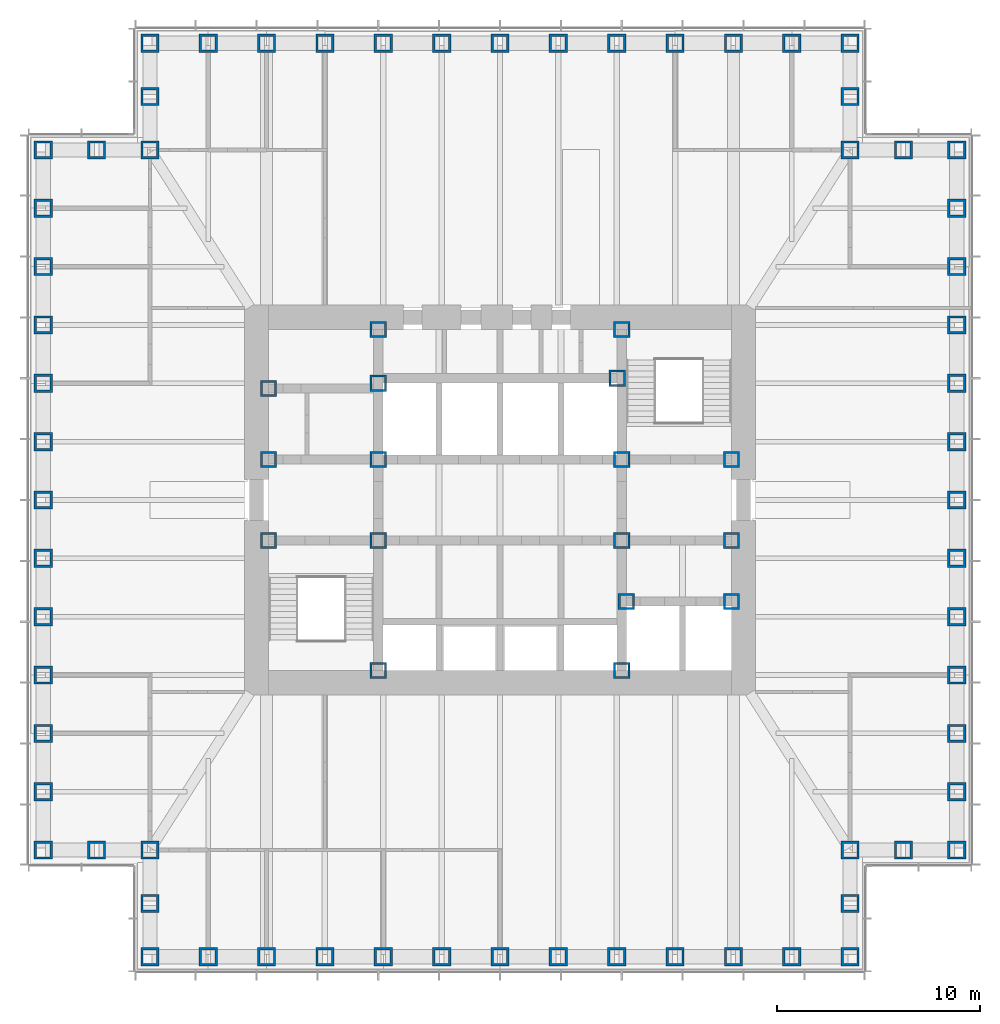
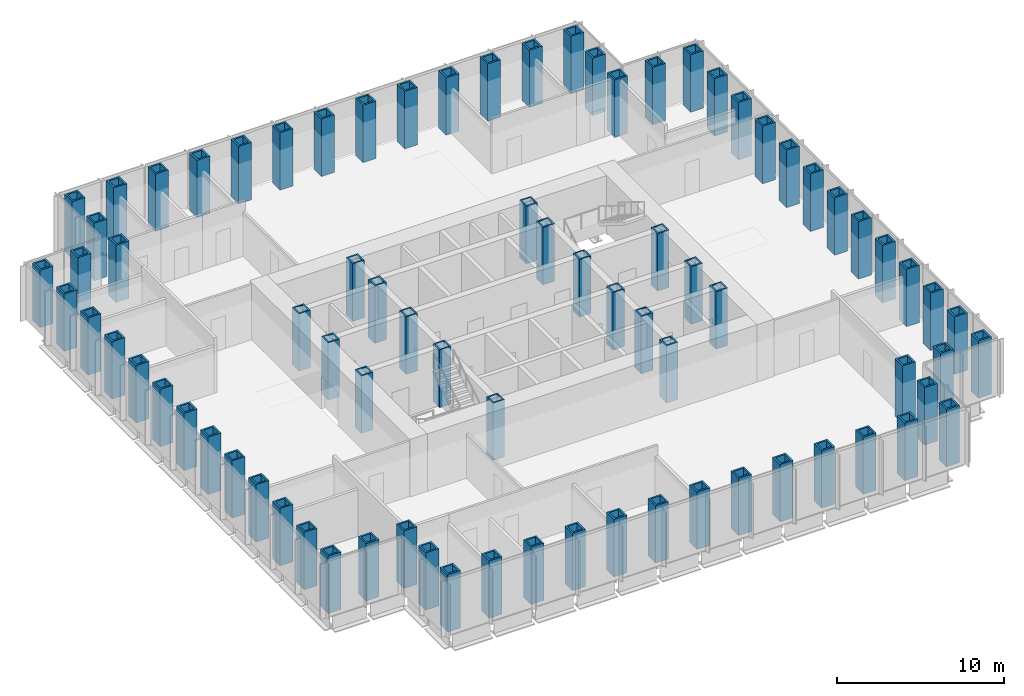
# One storey, part 1 of 17: 81 columns.
"""IFC4 building model written with IfcOpenShell, lengths in metres."""

from ifc_helpers import new_model, si_unit, direction, frame, origin, origin_2d, place, context, subcontext, project, spatial, hollow_rectangle, extrude, material, material_profile, profile_set, type_object, element, save


model = new_model("IFC4")

# Units and contexts
model_context = context("Model", 3, precision=1e-05, world=origin(), true_north=direction((0.0, 1.0)))
body_context = subcontext(model_context, "Body", "Model", "MODEL_VIEW")
ifc_project = project(units=[si_unit("LENGTHUNIT", "METRE"), si_unit("AREAUNIT", "SQUARE_METRE"), si_unit("VOLUMEUNIT", "CUBIC_METRE"), si_unit("PLANEANGLEUNIT", "RADIAN"), si_unit("MASSUNIT", "GRAM", prefix="KILO")], contexts=[model_context])

# Site, building, storey
site_placement = place(None, origin())
site = spatial("IfcSite", under=ifc_project, at=site_placement, CompositionType="ELEMENT")
building_placement = place(site_placement, origin())
building = spatial("IfcBuilding", under=site, at=building_placement, Name="Daluyong Arena Tower", CompositionType="ELEMENT")
storey_placement = place(building_placement, frame((0.0, 0.0, 158.5)))
storey = spatial("IfcBuildingStorey", under=building, at=storey_placement, Name="L35", CompositionType="ELEMENT", Elevation=158.5)

# Columns
ifc_material_1 = material(Name="Steel ASTM A572 Grade 50", Category="steel")
ifc_material_profile_1 = material_profile(ifc_material_1, hollow_rectangle(XDim=0.800048828125, YDim=0.800048828125, WallThickness=0.1, at=origin_2d()))
ifc_profile_set_1 = profile_set([ifc_material_profile_1], Name="Steel ASTM A572 Grade 50")
column_type_1 = type_object("IfcColumnType", Name="Core boundary column BX800X100", PredefinedType="COLUMN", material=ifc_profile_set_1)
for number, where, z_axis, x_axis, name in (
    (1, (44.60009765625, 78.0, 0.0), (0.0, 0.0, 1.0), (1.0, 0.0, 0.0), "core boundary column BC2"),
    (2, (44.60009765625, 82.0, 0.0), (0.0, 0.0, 1.0), (1.0, 0.0, 0.0), "core boundary column BC2"),
    (3, (44.60009765625, 85.5, 0.0), (0.0, 0.0, 1.0), (1.0, 0.0, 0.0), "core boundary column BC2"),
    (4, (50.0, 71.60009765625, 0.0), (0.0, 0.0, 1.0), (1.0, 0.0, 0.0), "core boundary column BC2"),
    (5, (50.0, 78.0, 0.0), (0.0, 0.0, 1.0), (1.0, 0.0, 0.0), "core boundary column BC2"),
    (6, (50.0, 82.0, 0.0), (0.0, 0.0, 1.0), (1.0, 0.0, 0.0), "core boundary column BC2"),
    (7, (50.0, 85.75, 0.0), (0.0, 0.0, 1.0), (1.0, 0.0, 0.0), "core boundary column BC2"),
    (8, (50.0, 88.39990234375, 0.0), (0.0, 0.0, 1.0), (1.0, 0.0, 0.0), "core boundary column BC2"),
    (9, (61.77490234375, 86.0, 0.0), (0.0, 0.0, 1.0), (1.0, 0.0, 0.0), "core boundary column BC2"),
    (10, (62.0, 71.60009765625, 0.0), (0.0, 0.0, 1.0), (1.0, 0.0, 0.0), "core boundary column BC2"),
    (11, (62.0, 78.0, 0.0), (0.0, 0.0, 1.0), (1.0, 0.0, 0.0), "core boundary column BC2"),
    (12, (62.0, 82.0, 0.0), (0.0, 0.0, 1.0), (1.0, 0.0, 0.0), "core boundary column BC2"),
    (13, (62.0, 88.39990234375, 0.0), (0.0, 0.0, 1.0), (1.0, 0.0, 0.0), "core boundary column BC2"),
    (14, (62.22509765625, 75.0, 0.0), (0.0, 0.0, 1.0), (1.0, 0.0, 0.0), "core boundary column BC2"),
    (15, (67.39990234375, 75.0, 0.0), (0.0, 0.0, 1.0), (1.0, 0.0, 0.0), "core boundary column BC2"),
    (16, (67.39990234375, 78.0, 0.0), (0.0, 0.0, 1.0), (1.0, 0.0, 0.0), "core boundary column BC2"),
    (17, (67.39990234375, 82.0, 0.0), (0.0, 0.0, 1.0), (1.0, 0.0, 0.0), "core boundary column BC2"),
):
    element("IfcColumn", number, at=place(storey_placement, frame(where, z_axis=z_axis, x_axis=x_axis)), inside=storey, type_object=column_type_1, Name=name, PredefinedType="COLUMN", context=body_context, shape_type="SweptSolid", body=[
        extrude(hollow_rectangle(XDim=0.800048828125, YDim=0.800048828125, WallThickness=0.1, at=origin_2d()), origin(), (0.0, 0.0, 1.0), 4.199951171875),
    ])
ifc_material_2 = material(Name="Steel ASTM A588 Grade 50", Category="steel")
ifc_material_profile_2 = material_profile(ifc_material_2, hollow_rectangle(XDim=0.89990234375, YDim=0.89990234375, WallThickness=0.12, at=origin_2d()))
ifc_profile_set_2 = profile_set([ifc_material_profile_2], Name="Steel ASTM A588 Grade 50")
column_type_2 = type_object("IfcColumnType", Name="Tube column BX900X120 BX900X120", PredefinedType="COLUMN", material=ifc_profile_set_2)
for number, where, z_axis, x_axis, name in (
    (18, (38.75, 57.5, 0.0), (0.0, 0.0, 1.0), (1.0, 0.0, 0.0), "tube column bx900x120 TC4"),
    (19, (41.625, 57.5, 0.0), (0.0, 0.0, 1.0), (1.0, 0.0, 0.0), "tube column bx900x120 TC4"),
    (20, (44.5, 57.5, 0.0), (0.0, 0.0, 1.0), (1.0, 0.0, 0.0), "tube column bx900x120 TC4"),
    (21, (47.375, 57.5, 0.0), (0.0, 0.0, 1.0), (1.0, 0.0, 0.0), "tube column bx900x120 TC4"),
    (22, (50.25, 57.5, 0.0), (0.0, 0.0, 1.0), (1.0, 0.0, 0.0), "tube column bx900x120 TC4"),
    (23, (53.125, 57.5, 0.0), (0.0, 0.0, 1.0), (1.0, 0.0, 0.0), "tube column bx900x120 TC4"),
    (24, (56.0, 57.5, 0.0), (0.0, 0.0, 1.0), (1.0, 0.0, 0.0), "tube column bx900x120 TC4"),
    (25, (58.875, 57.5, 0.0), (0.0, 0.0, 1.0), (1.0, 0.0, 0.0), "tube column bx900x120 TC4"),
    (26, (61.75, 57.5, 0.0), (0.0, 0.0, 1.0), (1.0, 0.0, 0.0), "tube column bx900x120 TC4"),
    (27, (64.625, 57.5, 0.0), (0.0, 0.0, 1.0), (1.0, 0.0, 0.0), "tube column bx900x120 TC4"),
    (28, (67.5, 57.5, 0.0), (0.0, 0.0, 1.0), (1.0, 0.0, 0.0), "tube column bx900x120 TC4"),
    (29, (70.375, 57.5, 0.0), (0.0, 0.0, 1.0), (1.0, 0.0, 0.0), "tube column bx900x120 TC4"),
    (30, (73.25, 57.5, 0.0), (0.0, 0.0, 1.0), (0.0, 1.0, 0.0), "tube column bx900x120 TC4"),
    (31, (73.25, 60.125, 0.0), (0.0, 0.0, 1.0), (0.0, 1.0, 0.0), "tube column bx900x120 TC4"),
    (32, (73.25, 62.75, 0.0), (0.0, 0.0, 1.0), (1.0, 0.0, 0.0), "tube column bx900x120 TC4"),
    (33, (75.875, 62.75, 0.0), (0.0, 0.0, 1.0), (1.0, 0.0, 0.0), "tube column bx900x120 TC4"),
    (34, (78.5, 62.75, 0.0), (0.0, 0.0, 1.0), (0.0, 1.0, 0.0), "tube column bx900x120 TC4"),
    (35, (78.5, 65.625, 0.0), (0.0, 0.0, 1.0), (0.0, 1.0, 0.0), "tube column bx900x120 TC4"),
    (36, (78.5, 68.5, 0.0), (0.0, 0.0, 1.0), (0.0, 1.0, 0.0), "tube column bx900x120 TC4"),
    (37, (78.5, 71.375, 0.0), (0.0, 0.0, 1.0), (0.0, 1.0, 0.0), "tube column bx900x120 TC4"),
    (38, (78.5, 74.25, 0.0), (0.0, 0.0, 1.0), (0.0, 1.0, 0.0), "tube column bx900x120 TC4"),
    (39, (78.5, 77.125, 0.0), (0.0, 0.0, 1.0), (0.0, 1.0, 0.0), "tube column bx900x120 TC4"),
    (40, (78.5, 80.0, 0.0), (0.0, 0.0, 1.0), (0.0, 1.0, 0.0), "tube column bx900x120 TC4"),
    (41, (78.5, 82.875, 0.0), (0.0, 0.0, 1.0), (0.0, 1.0, 0.0), "tube column bx900x120 TC4"),
    (42, (78.5, 85.75, 0.0), (0.0, 0.0, 1.0), (0.0, 1.0, 0.0), "tube column bx900x120 TC4"),
    (43, (78.5, 88.625, 0.0), (0.0, 0.0, 1.0), (0.0, 1.0, 0.0), "tube column bx900x120 TC4"),
    (44, (78.5, 91.5, 0.0), (0.0, 0.0, 1.0), (0.0, 1.0, 0.0), "tube column bx900x120 TC4"),
    (45, (78.5, 94.375, 0.0), (0.0, 0.0, 1.0), (0.0, 1.0, 0.0), "tube column bx900x120 TC4"),
    (46, (78.5, 97.25, 0.0), (0.0, 0.0, 1.0), (1.0, 0.0, 0.0), "tube column bx900x120 TC4"),
    (47, (75.875, 97.25, 0.0), (0.0, 0.0, 1.0), (1.0, 0.0, 0.0), "tube column bx900x120 TC4"),
    (48, (73.25, 97.25, 0.0), (0.0, 0.0, 1.0), (0.0, 1.0, 0.0), "tube column bx900x120 TC4"),
    (49, (73.25, 99.875, 0.0), (0.0, 0.0, 1.0), (0.0, 1.0, 0.0), "tube column bx900x120 TC4"),
    (50, (73.25, 102.5, 0.0), (0.0, 0.0, 1.0), (1.0, 0.0, 0.0), "tube column bx900x120 TC4"),
    (51, (70.375, 102.5, 0.0), (0.0, 0.0, 1.0), (1.0, 0.0, 0.0), "tube column bx900x120 TC4"),
    (52, (67.5, 102.5, 0.0), (0.0, 0.0, 1.0), (1.0, 0.0, 0.0), "tube column bx900x120 TC4"),
    (53, (64.625, 102.5, 0.0), (0.0, 0.0, 1.0), (1.0, 0.0, 0.0), "tube column bx900x120 TC4"),
    (54, (61.75, 102.5, 0.0), (0.0, 0.0, 1.0), (1.0, 0.0, 0.0), "tube column bx900x120 TC4"),
    (55, (58.875, 102.5, 0.0), (0.0, 0.0, 1.0), (1.0, 0.0, 0.0), "tube column bx900x120 TC4"),
    (56, (56.0, 102.5, 0.0), (0.0, 0.0, 1.0), (1.0, 0.0, 0.0), "tube column bx900x120 TC4"),
    (57, (53.125, 102.5, 0.0), (0.0, 0.0, 1.0), (1.0, 0.0, 0.0), "tube column bx900x120 TC4"),
    (58, (50.25, 102.5, 0.0), (0.0, 0.0, 1.0), (1.0, 0.0, 0.0), "tube column bx900x120 TC4"),
    (59, (47.375, 102.5, 0.0), (0.0, 0.0, 1.0), (1.0, 0.0, 0.0), "tube column bx900x120 TC4"),
    (60, (44.5, 102.5, 0.0), (0.0, 0.0, 1.0), (1.0, 0.0, 0.0), "tube column bx900x120 TC4"),
    (61, (41.625, 102.5, 0.0), (0.0, 0.0, 1.0), (1.0, 0.0, 0.0), "tube column bx900x120 TC4"),
    (62, (38.75, 102.5, 0.0), (0.0, 0.0, 1.0), (0.0, 1.0, 0.0), "tube column bx900x120 TC4"),
    (63, (38.75, 99.875, 0.0), (0.0, 0.0, 1.0), (0.0, 1.0, 0.0), "tube column bx900x120 TC4"),
    (64, (38.75, 97.25, 0.0), (0.0, 0.0, 1.0), (1.0, 0.0, 0.0), "tube column bx900x120 TC4"),
    (65, (36.125, 97.25, 0.0), (0.0, 0.0, 1.0), (1.0, 0.0, 0.0), "tube column bx900x120 TC4"),
    (66, (33.5, 97.25, 0.0), (0.0, 0.0, 1.0), (0.0, 1.0, 0.0), "tube column bx900x120 TC4"),
    (67, (33.5, 94.375, 0.0), (0.0, 0.0, 1.0), (0.0, 1.0, 0.0), "tube column bx900x120 TC4"),
    (68, (33.5, 91.5, 0.0), (0.0, 0.0, 1.0), (0.0, 1.0, 0.0), "tube column bx900x120 TC4"),
    (69, (33.5, 88.625, 0.0), (0.0, 0.0, 1.0), (0.0, 1.0, 0.0), "tube column bx900x120 TC4"),
    (70, (33.5, 85.75, 0.0), (0.0, 0.0, 1.0), (0.0, 1.0, 0.0), "tube column bx900x120 TC4"),
    (71, (33.5, 82.875, 0.0), (0.0, 0.0, 1.0), (0.0, 1.0, 0.0), "tube column bx900x120 TC4"),
    (72, (33.5, 80.0, 0.0), (0.0, 0.0, 1.0), (0.0, 1.0, 0.0), "tube column bx900x120 TC4"),
    (73, (33.5, 77.125, 0.0), (0.0, 0.0, 1.0), (0.0, 1.0, 0.0), "tube column bx900x120 TC4"),
    (74, (33.5, 74.25, 0.0), (0.0, 0.0, 1.0), (0.0, 1.0, 0.0), "tube column bx900x120 TC4"),
    (75, (33.5, 71.375, 0.0), (0.0, 0.0, 1.0), (0.0, 1.0, 0.0), "tube column bx900x120 TC4"),
    (76, (33.5, 68.5, 0.0), (0.0, 0.0, 1.0), (0.0, 1.0, 0.0), "tube column bx900x120 TC4"),
    (77, (33.5, 65.625, 0.0), (0.0, 0.0, 1.0), (0.0, 1.0, 0.0), "tube column bx900x120 TC4"),
    (78, (33.5, 62.75, 0.0), (0.0, 0.0, 1.0), (1.0, 0.0, 0.0), "tube column bx900x120 TC4"),
    (79, (36.125, 62.75, 0.0), (0.0, 0.0, 1.0), (1.0, 0.0, 0.0), "tube column bx900x120 TC4"),
    (80, (38.75, 62.75, 0.0), (0.0, 0.0, 1.0), (0.0, 1.0, 0.0), "tube column bx900x120 TC4"),
    (81, (38.75, 60.125, 0.0), (0.0, 0.0, 1.0), (0.0, 1.0, 0.0), "tube column bx900x120 TC4"),
):
    element("IfcColumn", number, at=place(storey_placement, frame(where, z_axis=z_axis, x_axis=x_axis)), inside=storey, type_object=column_type_2, Name=name, PredefinedType="COLUMN", context=body_context, shape_type="SweptSolid", body=[
        extrude(hollow_rectangle(XDim=0.89990234375, YDim=0.89990234375, WallThickness=0.12, at=origin_2d()), origin(), (0.0, 0.0, 1.0), 4.199951171875),
    ])

save(model, "model.ifc")
